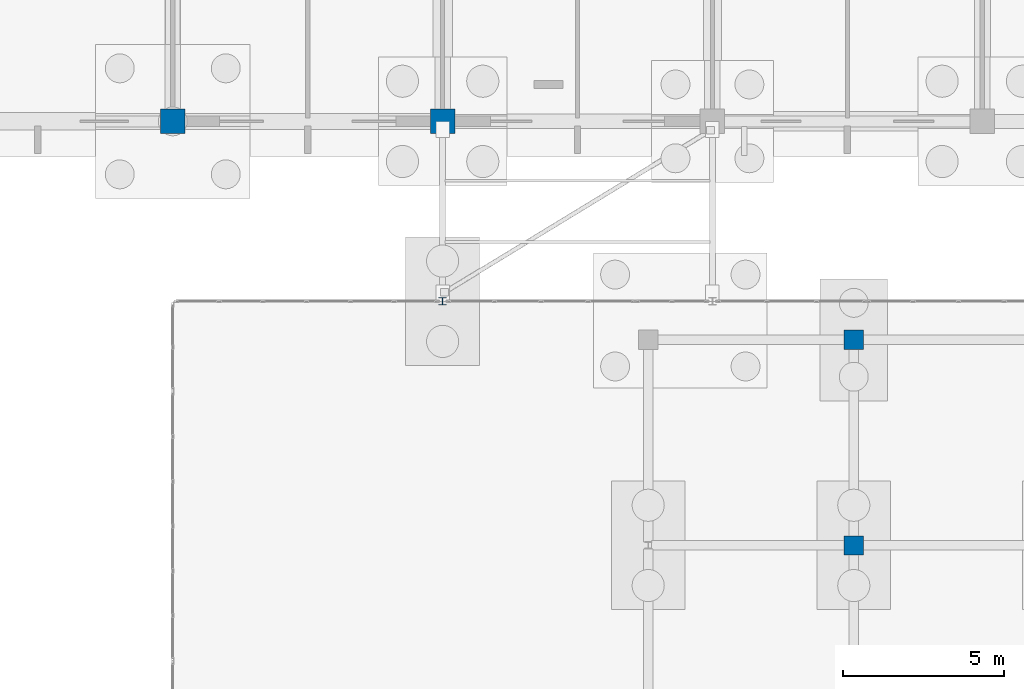
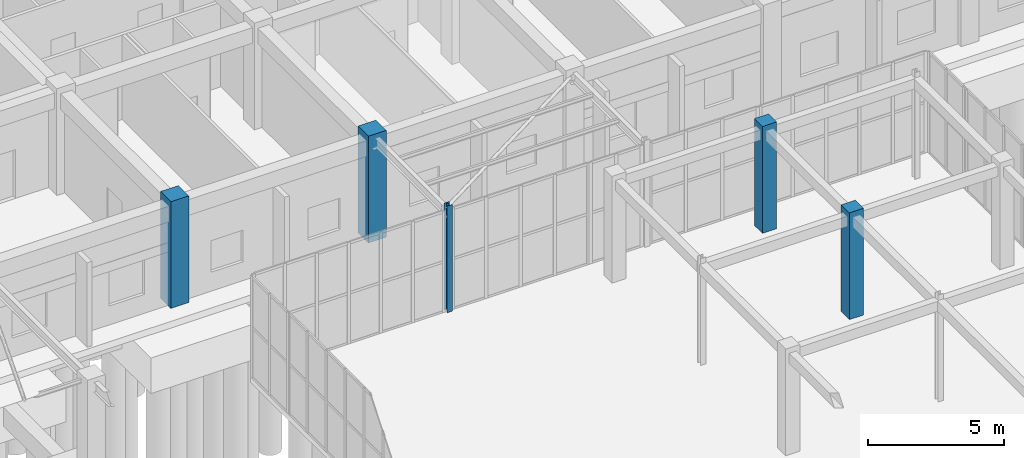
# One storey, part 38 of 192: 5 columns.
"""IFC4 building model written with IfcOpenShell, lengths in metres."""

from ifc_helpers import new_model, si_unit, direction, frame, origin, origin_2d, place, context, subcontext, project, spatial, rectangle, i_section, extrude, material, material_profile, profile_set, type_object, element, save


model = new_model("IFC4")

# Units and contexts
model_context = context("Model", 3, precision=1e-05, world=origin(), true_north=direction((0.0, 1.0)))
body_context = subcontext(model_context, "Body", "Model", "MODEL_VIEW")
ifc_project = project(units=[si_unit("LENGTHUNIT", "METRE"), si_unit("AREAUNIT", "SQUARE_METRE"), si_unit("VOLUMEUNIT", "CUBIC_METRE"), si_unit("PLANEANGLEUNIT", "RADIAN"), si_unit("MASSUNIT", "GRAM", prefix="KILO")], contexts=[model_context])

# Site, building, storey
site_placement = place(None, origin())
site = spatial("IfcSite", under=ifc_project, at=site_placement, CompositionType="ELEMENT")
building_placement = place(site_placement, origin())
building = spatial("IfcBuilding", under=site, at=building_placement, Name="Trelvath General Hospital", CompositionType="ELEMENT")
storey_placement = place(building_placement, origin())
storey = spatial("IfcBuildingStorey", under=building, at=storey_placement, Name="L00", CompositionType="ELEMENT", Elevation=0.0)

# Columns
ifc_material_1 = material(Name="Steel S355", Category="steel")
ifc_material_profile_1 = material_profile(ifc_material_1, i_section(OverallWidth=0.239990234375, OverallDepth=0.22998046875, WebThickness=0.007568359375, FlangeThickness=0.011962890625, at=origin_2d()), Name="HEA240")
ifc_profile_set_1 = profile_set([ifc_material_profile_1], Name="Steel S355")
column_type_1 = type_object("IfcColumnType", Name="BridgeColumn HEA240", PredefinedType="COLUMN", material=ifc_profile_set_1)
column_placement = place(storey_placement, frame((100.800048828125, 86.800048828125, 0.0), z_axis=(0.0, 0.0, 1.0), x_axis=(1.0, 0.0, 0.0)))
element("IfcColumn", 1, at=column_placement, inside=storey, type_object=column_type_1, Name="Bridge Portal Column BC-07 L00", PredefinedType="COLUMN", context=body_context, shape_type="SweptSolid", body=[
    extrude(i_section(OverallWidth=0.239990234375, OverallDepth=0.22998046875, WebThickness=0.007568359375, FlangeThickness=0.011962890625, at=origin_2d()), origin(), (0.0, 0.0, 1.0), 4.800048828125),
])
ifc_material_2 = material(Name="Concrete C40/50", Category="concrete")
ifc_material_profile_2 = material_profile(ifc_material_2, rectangle(XDim=0.60009765625, YDim=0.60009765625, at=origin_2d()), Name="RC600x600")
ifc_profile_set_2 = profile_set([ifc_material_profile_2], Name="Concrete C40/50")
column_type_2 = type_object("IfcColumnType", Name="Column RC600", PredefinedType="COLUMN", material=ifc_profile_set_2)
for number, where, z_axis, x_axis, name in (
    (2, (113.60009765625, 79.199951171875, 0.0), (0.0, 0.0, 1.0), (1.0, 0.0, 0.0), "Cube Interior Column CC-E13 L00"),
    (3, (113.60009765625, 85.60009765625, 0.0), (0.0, 0.0, 1.0), (1.0, 0.0, 0.0), "Cube Interior Column CC-E14 L00"),
):
    element("IfcColumn", number, at=place(storey_placement, frame(where, z_axis=z_axis, x_axis=x_axis)), inside=storey, type_object=column_type_2, Name=name, PredefinedType="COLUMN", context=body_context, shape_type="SweptSolid", body=[
        extrude(rectangle(XDim=0.60009765625, YDim=0.60009765625, at=origin_2d()), origin(), (0.0, 0.0, 1.0), 4.800048828125),
    ])
ifc_material_3 = material(Name="Concrete C40/50", Category="concrete")
ifc_material_profile_3 = material_profile(ifc_material_3, rectangle(XDim=0.760009765625, YDim=0.760009765625, at=origin_2d()), Name="RC760x760")
ifc_profile_set_3 = profile_set([ifc_material_profile_3], Name="Concrete C40/50")
column_type_3 = type_object("IfcColumnType", Name="Column RC760", PredefinedType="COLUMN", material=ifc_profile_set_3)
for number, where, z_axis, x_axis, name in (
    (4, (92.39990234375, 92.39990234375, 0.0), (0.0, 0.0, 1.0), (1.0, 0.0, 0.0), "Column C-12L L00"),
    (5, (100.800048828125, 92.39990234375, 0.0), (0.0, 0.0, 1.0), (1.0, 0.0, 0.0), "Column C-13L L00"),
):
    element("IfcColumn", number, at=place(storey_placement, frame(where, z_axis=z_axis, x_axis=x_axis)), inside=storey, type_object=column_type_3, Name=name, PredefinedType="COLUMN", context=body_context, shape_type="SweptSolid", body=[
        extrude(rectangle(XDim=0.760009765625, YDim=0.760009765625, at=origin_2d()), origin(), (0.0, 0.0, 1.0), 4.800048828125),
    ])

save(model, "model.ifc")
